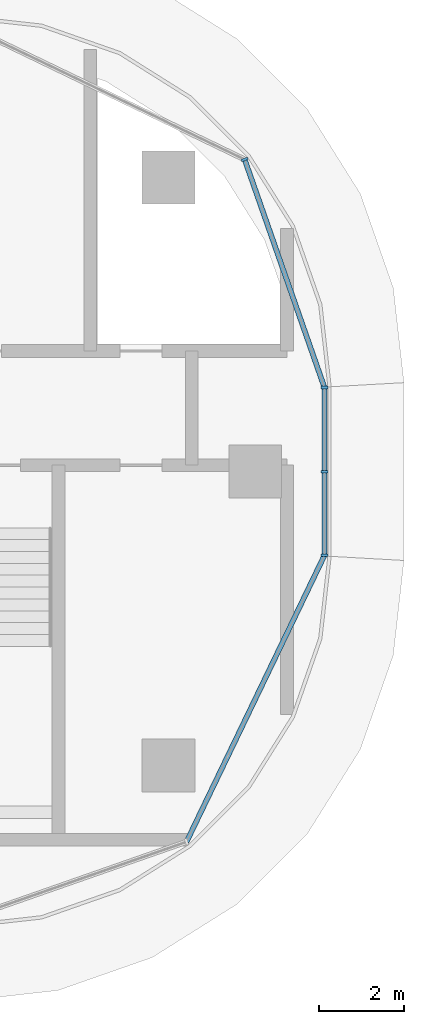
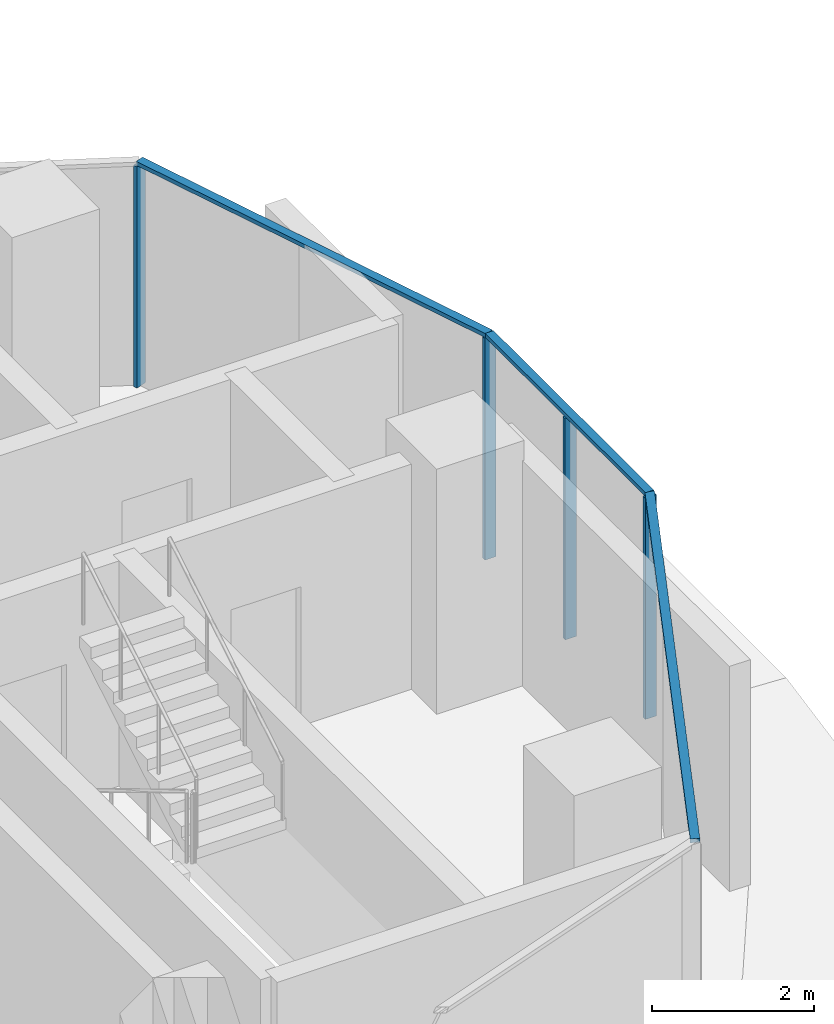
# One storey, part 7 of 25: 7 members, 3 elements without a shape of their own.
"""IFC4 building model written with IfcOpenShell, lengths in metres."""

from ifc_helpers import new_model, si_unit, direction, frame, origin, origin_2d, place, context, subcontext, project, spatial, rectangle, extrude, material, material_profile, profile_set, type_object, element, aggregate, save


model = new_model("IFC4")

# Units and contexts
model_context = context("Model", 3, precision=1e-05, world=origin(), true_north=direction((0.0, 1.0)))
body_context = subcontext(model_context, "Body", "Model", "MODEL_VIEW")
ifc_project = project(units=[si_unit("LENGTHUNIT", "METRE"), si_unit("AREAUNIT", "SQUARE_METRE"), si_unit("VOLUMEUNIT", "CUBIC_METRE"), si_unit("PLANEANGLEUNIT", "RADIAN"), si_unit("MASSUNIT", "GRAM", prefix="KILO")], contexts=[model_context])

# Site, building, storey
site_placement = place(None, origin())
site = spatial("IfcSite", under=ifc_project, at=site_placement, CompositionType="ELEMENT")
building_placement = place(site_placement, origin())
building = spatial("IfcBuilding", under=site, at=building_placement, Name="Ogive Portal Towers", CompositionType="ELEMENT")
storey_placement = place(building_placement, frame((0.0, 0.0, 124.10009765625)))
storey = spatial("IfcBuildingStorey", under=building, at=storey_placement, Name="L30", CompositionType="ELEMENT", Elevation=124.10009765625)

# Curtain wall, members
ifc_material_1 = material(Name="Glass, clear low-iron insulated glazing", Category="glass")
curtain_wall_type = type_object("IfcCurtainWallType", Name="CW FRONT RIBBON 4500", PredefinedType="NOTDEFINED", material=ifc_material_1)
curtain_wall_1_placement = place(storey_placement, origin())
curtain_wall_1 = element("IfcCurtainWall", 1, at=curtain_wall_1_placement, inside=storey, type_object=curtain_wall_type, Name="A:L30:f10:cw0", PredefinedType="NOTDEFINED")
ifc_material_2 = material(Name="Aluminium 6063 anodised", Category="aluminium")
ifc_material_profile_1 = material_profile(ifc_material_2, rectangle(XDim=0.159912109375, YDim=0.06005859375, at=origin_2d()), Name="AL 60x160")
ifc_profile_set_1 = profile_set([ifc_material_profile_1], Name="Aluminium 6063 anodised")
member_type_1 = type_object("IfcMemberType", Name="CW MULLION 60x160", PredefinedType="MULLION", material=ifc_profile_set_1)
member_1_placement = place(storey_placement, frame((96.135009765625, 28.518310546875, 0.0), z_axis=(0.0, 0.0, 1.0), x_axis=(-1.0, 0.0, 0.0)))
member_1 = element("IfcMember", 2, at=member_1_placement, type_object=member_type_1, Name="mullion", PredefinedType="MULLION", context=body_context, shape_type="SweptSolid", body=[
    extrude(rectangle(XDim=0.159912109375, YDim=0.06005859375, at=origin_2d()), origin(), (0.0, 0.0, 1.0), 3.33984375),
])
member_2_placement = place(storey_placement, frame((96.135009765625, 30.5, 0.0), z_axis=(0.0, 0.0, 1.0), x_axis=(-1.0, 0.0, 0.0)))
member_2 = element("IfcMember", 3, at=member_2_placement, type_object=member_type_1, Name="mullion", PredefinedType="MULLION", context=body_context, shape_type="SweptSolid", body=[
    extrude(rectangle(XDim=0.159912109375, YDim=0.06005859375, at=origin_2d()), origin(), (0.0, 0.0, 1.0), 3.33984375),
])
member_3_placement = place(storey_placement, frame((96.135009765625, 32.486328125, 0.0), z_axis=(0.0, 0.0, 1.0), x_axis=(-1.0, 0.0, 0.0)))
member_3 = element("IfcMember", 4, at=member_3_placement, type_object=member_type_1, Name="mullion", PredefinedType="MULLION", context=body_context, shape_type="SweptSolid", body=[
    extrude(rectangle(XDim=0.159912109375, YDim=0.06005859375, at=origin_2d()), origin(), (0.0, 0.0, 1.0), 3.33984375),
])

# Curtain wall, member
curtain_wall_2_placement = place(storey_placement, origin())
curtain_wall_2 = element("IfcCurtainWall", 5, at=curtain_wall_2_placement, inside=storey, type_object=curtain_wall_type, Name="A:L30:f11:cwa", PredefinedType="NOTDEFINED")
member_4_placement = place(storey_placement, frame((94.2490234375, 37.8759765625, 0.0), z_axis=(0.0, 0.0, 1.0), x_axis=(-0.943883330307, -0.33027906196, 0.0)))
member_4 = element("IfcMember", 6, at=member_4_placement, type_object=member_type_1, Name="mullion", PredefinedType="MULLION", context=body_context, shape_type="SweptSolid", body=[
    extrude(rectangle(XDim=0.159912109375, YDim=0.06005859375, at=origin_2d()), origin(), (0.0, 0.0, 1.0), 3.33984375),
])

# Member
ifc_material_profile_2 = material_profile(ifc_material_2, rectangle(XDim=0.1201171875, YDim=0.06005859375, at=origin_2d()), Name="AL 120x60")
ifc_profile_set_2 = profile_set([ifc_material_profile_2], Name="Aluminium 6063 anodised")
member_type_2 = type_object("IfcMemberType", Name="CW TRANSOM 60x120", PredefinedType="USERDEFINED", material=ifc_profile_set_2)
member_5_placement = place(storey_placement, frame((96.135009765625, 28.518310546875, 3.369873046875), z_axis=(0.0, 1.0, 0.0), x_axis=(-1.0, 0.0, 0.0)))
member_5 = element("IfcMember", 7, at=member_5_placement, type_object=member_type_2, Name="transom", ObjectType="TRANSOM", PredefinedType="USERDEFINED", context=body_context, shape_type="SweptSolid", body=[
    extrude(rectangle(XDim=0.1201171875, YDim=0.06005859375, at=origin_2d()), origin(), (0.0, 0.0, 1.0), 3.968017578125),
])

aggregate(curtain_wall_1, [member_5, member_1, member_2, member_3])

# Curtain wall, member
curtain_wall_3_placement = place(storey_placement, origin())
curtain_wall_3 = element("IfcCurtainWall", 8, at=curtain_wall_3_placement, inside=storey, type_object=curtain_wall_type, Name="A:L30:f08:cwa", PredefinedType="NOTDEFINED")
member_6_placement = place(storey_placement, frame((92.8759765625, 21.7509765625, 3.369873046875), z_axis=(0.433889890445, 0.900965905554, 0.0), x_axis=(-0.900965905554, 0.433889890445, 0.0)))
member_6 = element("IfcMember", 9, at=member_6_placement, type_object=member_type_2, Name="transom", ObjectType="TRANSOM", PredefinedType="USERDEFINED", context=body_context, shape_type="SweptSolid", body=[
    extrude(rectangle(XDim=0.1201171875, YDim=0.06005859375, at=origin_2d()), origin(), (0.0, 0.0, 1.0), 7.51123046875),
])
aggregate(curtain_wall_3, [member_6])

# Member
member_7_placement = place(storey_placement, frame((96.135009765625, 32.486328125, 3.369873046875), z_axis=(-0.330289480189, 0.943879684746, 0.0), x_axis=(-0.943879684746, -0.330289480189, 0.0)))
member_7 = element("IfcMember", 10, at=member_7_placement, type_object=member_type_2, Name="transom", ObjectType="TRANSOM", PredefinedType="USERDEFINED", context=body_context, shape_type="SweptSolid", body=[
    extrude(rectangle(XDim=0.1201171875, YDim=0.06005859375, at=origin_2d()), origin(), (0.0, 0.0, 1.0), 5.710205078125),
])

aggregate(curtain_wall_2, [member_7, member_4])

save(model, "model.ifc")
